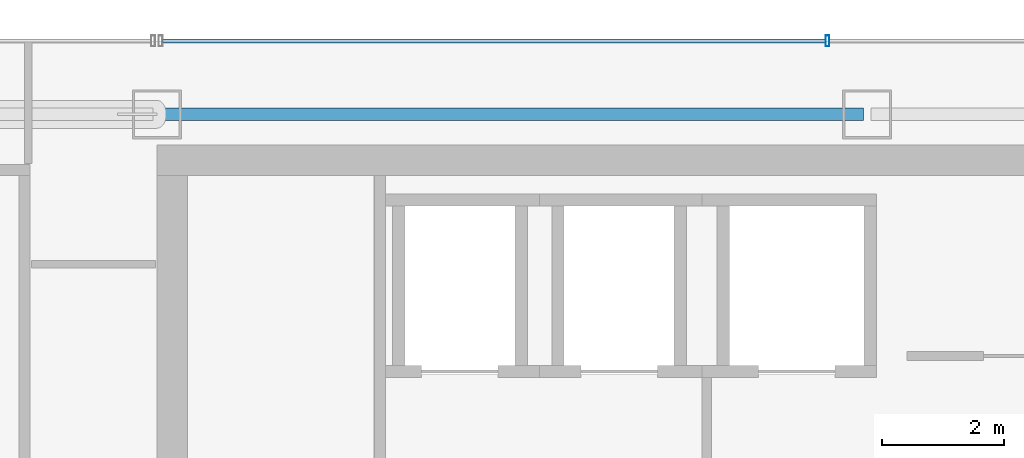
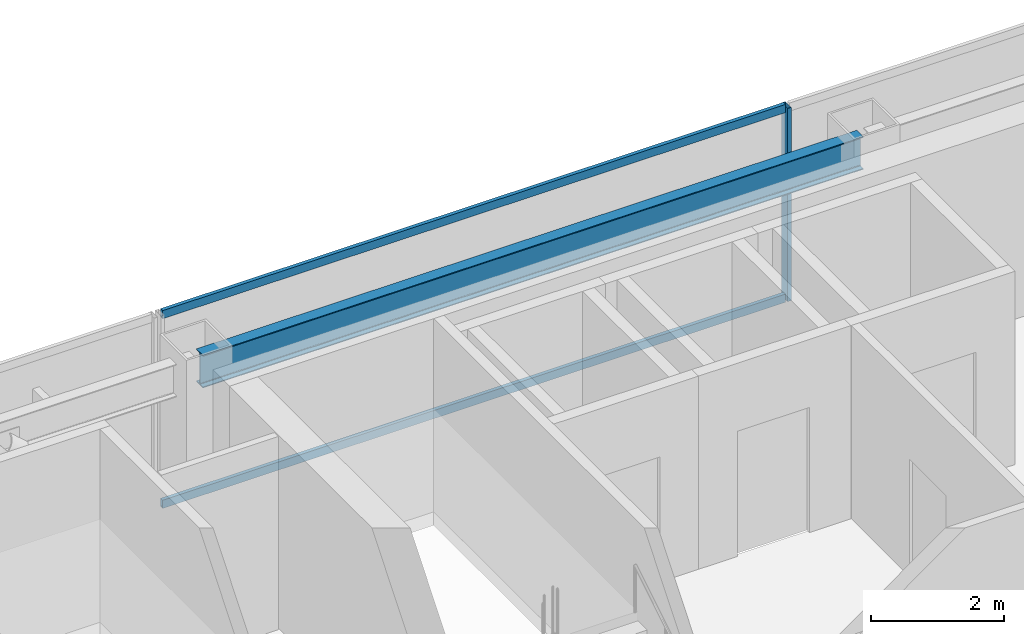
# One storey, part 24 of 35: 3 members, 1 beam, 1 element without a shape of its own.
"""IFC4 building model written with IfcOpenShell, lengths in metres."""

import ifcopenshell
import ifcopenshell.guid

model = None  # the IFC model being written
_history = None  # IfcOwnerHistory: only IFC2X3 demands one
_inside = {}  # id of a spatial element -> (the spatial element, [elements in it])
_under = {}  # id of a project, library or spatial element -> (it, [spatial elements below it])
_declared = {}  # id of a project -> (the project, [libraries it declares])
_typed = {}  # id of a type object -> (the type object, [elements of that type])
_made_of = {}  # id of a material, layer set ... -> (it, [elements and type objects made of it])


def new_model(schema):
    """Start an empty IFC model of exactly this schema.

    Asked for "IFC4X3", IfcOpenShell would pick the latest addendum, in which some entities
    have other attributes; the version numbers below select the first issue.
    IFC2X3 requires an IfcOwnerHistory on every rooted entity: one is made here for all.
    """
    global model, _history
    if schema == "IFC4X3":
        model = ifcopenshell.file(schema_version=(4, 3, 0, 0))
    else:
        model = ifcopenshell.file(schema=schema)
    _inside.clear()
    _under.clear()
    _declared.clear()
    _typed.clear()
    _made_of.clear()
    _history = None
    if model.schema == "IFC2X3":
        org = make("IfcOrganization", Name="unknown")
        user = make(
            "IfcPersonAndOrganization",
            ThePerson=make("IfcPerson", FamilyName="unknown"),
            TheOrganization=org,
        )
        app = make(
            "IfcApplication",
            ApplicationDeveloper=org,
            Version="unknown",
            ApplicationFullName="unknown",
            ApplicationIdentifier="unknown",
        )
        _history = make(
            "IfcOwnerHistory",
            OwningUser=user,
            OwningApplication=app,
            ChangeAction="ADDED",
            CreationDate=0,
        )
    return model


def make(cls, **values):
    """One entity of the class cls with the attributes given. An attribute that is None is left unset."""
    return model.create_entity(
        cls, **{name: value for name, value in values.items() if value is not None}
    )


def rooted(cls, **values):
    """An entity with a GlobalId (a new one), such as an element, a storey or a relation."""
    return make(cls, GlobalId=ifcopenshell.guid.new(), OwnerHistory=_history, **values)


def si_unit(unit_type, name, prefix=None):
    """IfcSIUnit, for example si_unit("LENGTHUNIT", "METRE", prefix="MILLI")."""
    return make("IfcSIUnit", UnitType=unit_type, Prefix=prefix, Name=name)


def assignment(units):
    """IfcUnitAssignment: the units of a project."""
    return None if units is None else make("IfcUnitAssignment", Units=units)


def point(xyz):
    """IfcCartesianPoint."""
    return None if xyz is None else make("IfcCartesianPoint", Coordinates=xyz)


def direction(xyz):
    """IfcDirection."""
    return None if xyz is None else make("IfcDirection", DirectionRatios=xyz)


def frame(location, z_axis=None, x_axis=None):
    """IfcAxis2Placement3D, a coordinate frame: its origin and axes. An axis left out is left unset."""
    return make(
        "IfcAxis2Placement3D",
        Location=point(location),
        Axis=direction(z_axis),
        RefDirection=direction(x_axis),
    )


def frame_2d(location, x_axis=None):
    """IfcAxis2Placement2D, a coordinate frame in the plane: its origin and x axis."""
    return make(
        "IfcAxis2Placement2D", Location=point(location), RefDirection=direction(x_axis)
    )


def origin():
    """The frame at (0, 0, 0) with its axes left unset."""
    return frame((0.0, 0.0, 0.0))


def origin_2d():
    """The frame at (0, 0) in the plane with its x axis left unset."""
    return frame_2d((0.0, 0.0))


def place(relative_to, where):
    """IfcLocalPlacement: puts the frame where relative to a parent placement (None: the world)."""
    return make(
        "IfcLocalPlacement", PlacementRelTo=relative_to, RelativePlacement=where
    )


def context(
    kind, dimensions, precision=None, world=None, true_north=None, identifier=None
):
    """IfcGeometricRepresentationContext, for example the 3D "Model" context."""
    return make(
        "IfcGeometricRepresentationContext",
        ContextIdentifier=identifier,
        ContextType=kind,
        CoordinateSpaceDimension=dimensions,
        Precision=precision,
        WorldCoordinateSystem=world,
        TrueNorth=true_north,
    )


def subcontext(parent, identifier, kind, view, scale=None):
    """IfcGeometricRepresentationSubContext, for example "Body" below "Model"."""
    return make(
        "IfcGeometricRepresentationSubContext",
        ContextIdentifier=identifier,
        ContextType=kind,
        ParentContext=parent,
        TargetScale=scale,
        TargetView=view,
    )


def project(units=None, contexts=None):
    """IfcProject with its units and contexts."""
    return rooted(
        "IfcProject",
        Name="project",
        RepresentationContexts=contexts,
        UnitsInContext=assignment(units),
    )


def spatial(cls, under=None, at=None, **own):
    """A site, building, storey or space (cls), placed at a placement, below another one or the project."""
    s = rooted(cls, ObjectPlacement=at, **own)
    if under is not None:
        _under.setdefault(under.id(), (under, []))[1].append(s)
    return s


def profile(cls, at=None, kind="AREA", **sizes):
    """A parametric profile (cls). Its sizes go by their IFC names, for example OverallWidth=200.0."""
    return make(cls, ProfileType=kind, Position=at, **sizes)


def hollow_rectangle(**sizes):
    """IfcRectangleHollowProfileDef."""
    return profile("IfcRectangleHollowProfileDef", **sizes)


def i_section(**sizes):
    """IfcIShapeProfileDef."""
    return profile("IfcIShapeProfileDef", **sizes)


def extrude(swept, where, along, depth):
    """IfcExtrudedAreaSolid: the profile swept, set in the frame where, extruded along a direction by depth."""
    return make(
        "IfcExtrudedAreaSolid",
        SweptArea=swept,
        Position=where,
        ExtrudedDirection=direction(along),
        Depth=depth,
    )


def shape(context_of_items, identifier, shape_type, items):
    """IfcShapeRepresentation: the items that make up one representation, for example the "Body"."""
    return make(
        "IfcShapeRepresentation",
        ContextOfItems=context_of_items,
        RepresentationIdentifier=identifier,
        RepresentationType=shape_type,
        Items=items,
    )


def material(Name=None, Category=None):
    """IfcMaterial."""
    return make("IfcMaterial", Name=Name, Category=Category)


def material_profile(
    of_material, cross_section, Name=None, Category=None, Priority=None
):
    """IfcMaterialProfile: a cross section and its material."""
    return make(
        "IfcMaterialProfile",
        Name=Name,
        Material=of_material,
        Profile=cross_section,
        Priority=Priority,
        Category=Category,
    )


def profile_set(profiles, Name=None, composite=None):
    """IfcMaterialProfileSet."""
    return make(
        "IfcMaterialProfileSet",
        Name=Name,
        MaterialProfiles=profiles,
        CompositeProfile=composite,
    )


def made_of(thing, what):
    """Note that an element or type object is made of a material, layer set ...; save() writes the relation."""
    if what is not None:
        _made_of.setdefault(what.id(), (what, []))[1].append(thing)
    return thing


def type_object(cls, material=None, **own):
    """A type object (cls), such as IfcWallType, which elements share."""
    return made_of(rooted(cls, **own), material)


def element(
    cls,
    number,
    at=None,
    inside=None,
    cuts=None,
    type_object=None,
    material=None,
    context=None,
    identifier="Body",
    shape_type=None,
    held_by="IfcProductDefinitionShape",
    body=None,
    shapes=None,
    **own,
):
    """One element of the class cls, such as IfcWall. Its Tag is "e" and its number.

    at: its placement. inside: the storey or other place that contains it. cuts: it is an
    opening in that element (IfcRelVoidsElement). A single representation is given by context,
    identifier, shape_type and body (its items); several are given by shapes. held_by: the class
    of the entity that holds the representations. save() writes the other relations.
    """
    e = rooted(cls, Tag="e%d" % number, ObjectPlacement=at, **own)
    if body is not None:
        shapes = [shape(context, identifier, shape_type, body)]
    if shapes is not None:
        e.Representation = make(held_by, Representations=shapes)
    if inside is not None:
        _inside.setdefault(inside.id(), (inside, []))[1].append(e)
    if cuts is not None:
        rooted(
            "IfcRelVoidsElement", RelatingBuildingElement=cuts, RelatedOpeningElement=e
        )
    if type_object is not None:
        _typed.setdefault(type_object.id(), (type_object, []))[1].append(e)
    return made_of(e, material)


def aggregate(whole, parts):
    """IfcRelAggregates: a whole, such as a stair, and the parts it consists of."""
    return rooted("IfcRelAggregates", RelatingObject=whole, RelatedObjects=parts)


def save(model, path):
    """Write the relations noted so far, then the file.

    IfcRelAggregates (storeys below a building ...), IfcRelContainedInSpatialStructure (elements
    in a storey), IfcRelDefinesByType, IfcRelAssociatesMaterial and IfcRelDeclares: one each for
    every whole, place, type object, material and project.
    """
    for whole, parts in _under.values():
        aggregate(whole, parts)
    for where, things in _inside.values():
        rooted(
            "IfcRelContainedInSpatialStructure",
            RelatedElements=things,
            RelatingStructure=where,
        )
    for kind, things in _typed.values():
        rooted("IfcRelDefinesByType", RelatedObjects=things, RelatingType=kind)
    for what, things in _made_of.values():
        rooted("IfcRelAssociatesMaterial", RelatedObjects=things, RelatingMaterial=what)
    for by, libraries in _declared.values():
        rooted("IfcRelDeclares", RelatingContext=by, RelatedDefinitions=libraries)
    model.write(path)


model = new_model("IFC4")

# Units and contexts
model_context = context("Model", 3, precision=1e-05, world=origin(), true_north=direction((0.0, 1.0)))
body_context = subcontext(model_context, "Body", "Model", "MODEL_VIEW")
ifc_project = project(units=[si_unit("LENGTHUNIT", "METRE"), si_unit("AREAUNIT", "SQUARE_METRE"), si_unit("VOLUMEUNIT", "CUBIC_METRE"), si_unit("PLANEANGLEUNIT", "RADIAN"), si_unit("MASSUNIT", "GRAM", prefix="KILO")], contexts=[model_context])

# Site, building, storey
site_placement = place(None, origin())
site = spatial("IfcSite", under=ifc_project, at=site_placement, CompositionType="ELEMENT")
building_placement = place(site_placement, origin())
building = spatial("IfcBuilding", under=site, at=building_placement, Name="Saevonmaru Cultural Tower", CompositionType="ELEMENT")
storey_placement = place(building_placement, frame((0.0, 0.0, 194.199951171875)))
storey = spatial("IfcBuildingStorey", under=building, at=storey_placement, Name="L44", CompositionType="ELEMENT", Elevation=194.199951171875)

# Beam
ifc_material_1 = material(Name="Steel SM355", Category="steel")
ifc_material_profile_1 = material_profile(ifc_material_1, i_section(OverallWidth=0.199951171875, OverallDepth=0.60009765625, WebThickness=0.010986328125, FlangeThickness=0.01708984375, FilletRadius=0.02197265625, at=origin_2d()), Name="H-600x200x11x17")
ifc_profile_set_1 = profile_set([ifc_material_profile_1], Name="Steel SM355")
beam_type = type_object("IfcBeamType", Name="BM-SP-H600", PredefinedType="SPANDREL", material=ifc_profile_set_1)
beam_placement = place(storey_placement, frame((13.659912109375, 54.800048828125, 3.25), z_axis=(1.0, 0.0, 0.0), x_axis=(0.0, 1.0, 0.0)))
element("IfcBeam", 1, at=beam_placement, inside=storey, type_object=beam_type, Name="L44 North Spine Girder 2", PredefinedType="SPANDREL", context=body_context, shape_type="SweptSolid", body=[
    extrude(i_section(OverallWidth=0.199951171875, OverallDepth=0.60009765625, WebThickness=0.010986328125, FlangeThickness=0.01708984375, FilletRadius=0.02197265625, at=origin_2d()), origin(), (0.0, 0.0, 1.0), 11.47998046875),
])

# Curtain wall, members
ifc_material_2 = material(Name="Satin Bronze Anodised Aluminium", Category="aluminium")
curtain_wall_type = type_object("IfcCurtainWallType", Name="CW-TYP-B", PredefinedType="NOTDEFINED", material=ifc_material_2)
curtain_wall_placement = place(storey_placement, origin())
curtain_wall = element("IfcCurtainWall", 2, at=curtain_wall_placement, inside=storey, type_object=curtain_wall_type, Name="L44 North Spine Unitised Curtain Wall E10B", PredefinedType="NOTDEFINED")
ifc_material_profile_2 = material_profile(ifc_material_2, hollow_rectangle(XDim=0.06494140625, YDim=0.179931640625, WallThickness=0.00390625, at=origin_2d()), Name="ALU-MULL-180x65x4")
ifc_profile_set_2 = profile_set([ifc_material_profile_2], Name="Satin Bronze Anodised Aluminium")
member_type_1 = type_object("IfcMemberType", Name="ML-CW-180x65", PredefinedType="MULLION", material=ifc_profile_set_2)
member_1_placement = place(storey_placement, frame((24.55322265625, 56.0, 0.0), z_axis=(0.0, 0.0, 1.0), x_axis=(-1.0, 0.0, 0.0)))
member_1 = element("IfcMember", 3, at=member_1_placement, type_object=member_type_1, Name="CW-TW-L44-E10B mullion 3", PredefinedType="MULLION", context=body_context, shape_type="SweptSolid", body=[
    extrude(hollow_rectangle(XDim=0.06494140625, YDim=0.179931640625, WallThickness=0.00390625, at=origin_2d()), origin(), (0.0, 0.0, 1.0), 3.550048828125),
])
ifc_material_profile_3 = material_profile(ifc_material_2, hollow_rectangle(XDim=0.06494140625, YDim=0.14990234375, WallThickness=0.00390625, at=origin_2d()), Name="ALU-TRAN-150x65x4")
ifc_profile_set_3 = profile_set([ifc_material_profile_3], Name="Satin Bronze Anodised Aluminium")
member_type_2 = type_object("IfcMemberType", Name="TR-CW-150x65", PredefinedType="USERDEFINED", material=ifc_profile_set_3)
member_2_placement = place(storey_placement, frame((24.520751953125, 56.0, 0.032470703125), z_axis=(-1.0, 0.0, 0.0), x_axis=(0.0, -1.0, 0.0)))
member_2 = element("IfcMember", 4, at=member_2_placement, type_object=member_type_2, Name="CW-TW-L44-E10B transom 3.1", ObjectType="TRANSOM", PredefinedType="USERDEFINED", context=body_context, shape_type="SweptSolid", body=[
    extrude(hollow_rectangle(XDim=0.06494140625, YDim=0.14990234375, WallThickness=0.00390625, at=origin_2d()), origin(), (0.0, 0.0, 1.0), 10.828369140625),
])
member_3_placement = place(storey_placement, frame((24.520751953125, 56.0, 3.517578125), z_axis=(-1.0, 0.0, 0.0), x_axis=(0.0, -1.0, 0.0)))
member_3 = element("IfcMember", 5, at=member_3_placement, type_object=member_type_2, Name="CW-TW-L44-E10B transom 3.2", ObjectType="TRANSOM", PredefinedType="USERDEFINED", context=body_context, shape_type="SweptSolid", body=[
    extrude(hollow_rectangle(XDim=0.06494140625, YDim=0.14990234375, WallThickness=0.00390625, at=origin_2d()), origin(), (0.0, 0.0, 1.0), 10.828369140625),
])
aggregate(curtain_wall, [member_1, member_2, member_3])

save(model, "model.ifc")
